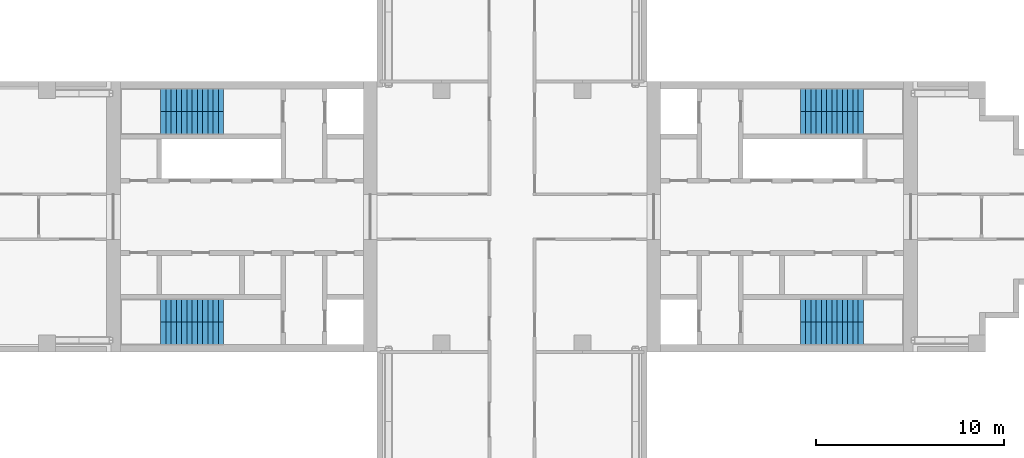
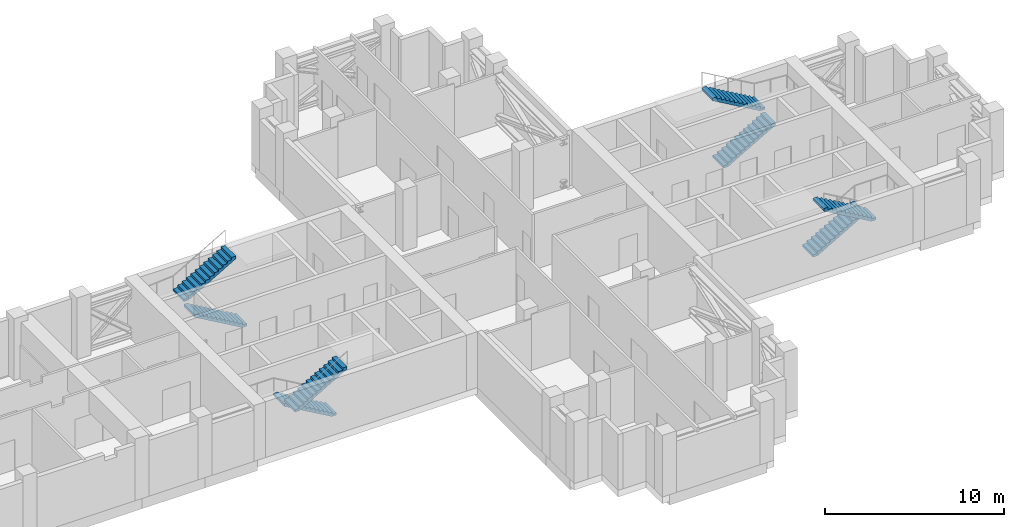
# One storey, part 7 of 8: 8 stair flights, 4 elements without a shape of their own.
"""IFC4 building model written with IfcOpenShell, lengths in metres."""

from ifc_helpers import new_model, si_unit, direction, frame, origin, place, context, subcontext, project, spatial, polyline, outline, extrude, material, type_object, element, aggregate, save


model = new_model("IFC4")

# Units and contexts
model_context = context("Model", 3, precision=1e-05, world=origin(), true_north=direction((0.0, 1.0)))
body_context = subcontext(model_context, "Body", "Model", "MODEL_VIEW")
ifc_project = project(units=[si_unit("LENGTHUNIT", "METRE"), si_unit("AREAUNIT", "SQUARE_METRE"), si_unit("VOLUMEUNIT", "CUBIC_METRE"), si_unit("PLANEANGLEUNIT", "RADIAN"), si_unit("MASSUNIT", "GRAM", prefix="KILO")], contexts=[model_context])

# Site, building, storey
site_placement = place(None, origin())
site = spatial("IfcSite", under=ifc_project, at=site_placement, CompositionType="ELEMENT")
building_placement = place(site_placement, origin())
building = spatial("IfcBuilding", under=site, at=building_placement, Name="Fustian Cross Tower", CompositionType="ELEMENT")
storey_placement = place(building_placement, frame((0.0, 0.0, 194.699951171875)))
storey = spatial("IfcBuildingStorey", under=building, at=storey_placement, Name="L61", CompositionType="ELEMENT", Elevation=194.699951171875)

# Stair, stair flights
ifc_material_1 = material(Name="Concrete C50/60", Category="concrete")
stair_type = type_object("IfcStairType", Name="STAIR 1200 HALF TURN", PredefinedType="HALF_TURN_STAIR", material=ifc_material_1)
stair_1_placement = place(storey_placement, origin())
stair_1 = element("IfcStair", 1, at=stair_1_placement, inside=storey, type_object=stair_type, Name="Stair ST1", PredefinedType="HALF_TURN_STAIR")
ifc_material_2 = material(Name="Concrete C50/60", Category="concrete")
stair_flight_type = type_object("IfcStairFlightType", Name="STAIR FLIGHT 1200", PredefinedType="STRAIGHT", material=ifc_material_2)
stair_flight_1_placement = place(storey_placement, frame((15.35009765625, 5.0, 0.0), z_axis=(0.0, 0.0, 1.0), x_axis=(1.0, 0.0, 0.0)))
stair_flight_1 = element("IfcStairFlight", 2, at=stair_flight_1_placement, type_object=stair_flight_type, Name="ST1 flight 1", NumberOfRisers=13, NumberOfTreads=12, PredefinedType="STRAIGHT", RiserHeight=0.161538462, TreadLength=0.28, context=body_context, shape_type="SweptSolid", body=[
    extrude(outline(polyline([(0.0, 0.0), (0.0, 0.16162109375), (0.280029296875, 0.16162109375), (0.280029296875, 0.322998046875), (0.56005859375, 0.322998046875), (0.56005859375, 0.484619140625), (0.840087890625, 0.484619140625), (0.840087890625, 0.646240234375), (1.1201171875, 0.646240234375), (1.1201171875, 0.8076171875), (1.39990234375, 0.8076171875), (1.39990234375, 0.96923828125), (1.679931640625, 0.96923828125), (1.679931640625, 1.130859375), (1.9599609375, 1.130859375), (1.9599609375, 1.292236328125), (2.239990234375, 1.292236328125), (2.239990234375, 1.453857421875), (2.52001953125, 1.453857421875), (2.52001953125, 1.615478515625), (2.800048828125, 1.615478515625), (2.800048828125, 1.77685546875), (3.080078125, 1.77685546875), (3.080078125, 1.9384765625), (3.360107421875, 1.9384765625), (3.360107421875, 2.10009765625), (3.360107421875, 1.765380859375), (0.300048828125, 0.0), (0.0, 0.0)])), frame((0.0, 0.60009765625, 0.0), z_axis=(0.0, -1.0, 0.0), x_axis=(1.0, 0.0, 0.0)), (0.0, 0.0, 1.0), 1.199951171875),
])
stair_flight_2_placement = place(storey_placement, frame((18.7099609375, 6.199951171875, 2.10009765625), z_axis=(0.0, 0.0, 1.0), x_axis=(-1.0, 0.0, 0.0)))
stair_flight_2 = element("IfcStairFlight", 3, at=stair_flight_2_placement, type_object=stair_flight_type, Name="ST1 flight 2", NumberOfRisers=13, NumberOfTreads=12, PredefinedType="STRAIGHT", RiserHeight=0.161538462, TreadLength=0.28, context=body_context, shape_type="SweptSolid", body=[
    extrude(outline(polyline([(0.0, 0.0), (0.0, 0.16162109375), (0.280029296875, 0.16162109375), (0.280029296875, 0.322998046875), (0.56005859375, 0.322998046875), (0.56005859375, 0.484619140625), (0.840087890625, 0.484619140625), (0.840087890625, 0.646240234375), (1.1201171875, 0.646240234375), (1.1201171875, 0.8076171875), (1.39990234375, 0.8076171875), (1.39990234375, 0.96923828125), (1.679931640625, 0.96923828125), (1.679931640625, 1.130859375), (1.9599609375, 1.130859375), (1.9599609375, 1.292236328125), (2.239990234375, 1.292236328125), (2.239990234375, 1.453857421875), (2.52001953125, 1.453857421875), (2.52001953125, 1.615478515625), (2.800048828125, 1.615478515625), (2.800048828125, 1.77685546875), (3.080078125, 1.77685546875), (3.080078125, 1.9384765625), (3.360107421875, 1.9384765625), (3.360107421875, 2.10009765625), (3.360107421875, 1.765380859375), (0.300048828125, 0.0), (0.0, 0.0)])), frame((0.0, 0.60009765625, 0.0), z_axis=(0.0, -1.0, 0.0), x_axis=(1.0, 0.0, 0.0)), (0.0, 0.0, 1.0), 1.199951171875),
])
aggregate(stair_1, [stair_flight_1, stair_flight_2])

stair_2_placement = place(storey_placement, origin())
stair_2 = element("IfcStair", 4, at=stair_2_placement, inside=storey, type_object=stair_type, Name="Stair ST2", PredefinedType="HALF_TURN_STAIR")
stair_flight_3_placement = place(storey_placement, frame((15.35009765625, -5.0, 0.0), z_axis=(0.0, 0.0, 1.0), x_axis=(1.0, 0.0, 0.0)))
stair_flight_3 = element("IfcStairFlight", 5, at=stair_flight_3_placement, type_object=stair_flight_type, Name="ST2 flight 1", NumberOfRisers=13, NumberOfTreads=12, PredefinedType="STRAIGHT", RiserHeight=0.161538462, TreadLength=0.28, context=body_context, shape_type="SweptSolid", body=[
    extrude(outline(polyline([(0.0, 0.0), (0.0, 0.16162109375), (0.280029296875, 0.16162109375), (0.280029296875, 0.322998046875), (0.56005859375, 0.322998046875), (0.56005859375, 0.484619140625), (0.840087890625, 0.484619140625), (0.840087890625, 0.646240234375), (1.1201171875, 0.646240234375), (1.1201171875, 0.8076171875), (1.39990234375, 0.8076171875), (1.39990234375, 0.96923828125), (1.679931640625, 0.96923828125), (1.679931640625, 1.130859375), (1.9599609375, 1.130859375), (1.9599609375, 1.292236328125), (2.239990234375, 1.292236328125), (2.239990234375, 1.453857421875), (2.52001953125, 1.453857421875), (2.52001953125, 1.615478515625), (2.800048828125, 1.615478515625), (2.800048828125, 1.77685546875), (3.080078125, 1.77685546875), (3.080078125, 1.9384765625), (3.360107421875, 1.9384765625), (3.360107421875, 2.10009765625), (3.360107421875, 1.765380859375), (0.300048828125, 0.0), (0.0, 0.0)])), frame((0.0, 0.60009765625, 0.0), z_axis=(0.0, -1.0, 0.0), x_axis=(1.0, 0.0, 0.0)), (0.0, 0.0, 1.0), 1.199951171875),
])
stair_flight_4_placement = place(storey_placement, frame((18.7099609375, -6.199951171875, 2.10009765625), z_axis=(0.0, 0.0, 1.0), x_axis=(-1.0, 0.0, 0.0)))
stair_flight_4 = element("IfcStairFlight", 6, at=stair_flight_4_placement, type_object=stair_flight_type, Name="ST2 flight 2", NumberOfRisers=13, NumberOfTreads=12, PredefinedType="STRAIGHT", RiserHeight=0.161538462, TreadLength=0.28, context=body_context, shape_type="SweptSolid", body=[
    extrude(outline(polyline([(0.0, 0.0), (0.0, 0.16162109375), (0.280029296875, 0.16162109375), (0.280029296875, 0.322998046875), (0.56005859375, 0.322998046875), (0.56005859375, 0.484619140625), (0.840087890625, 0.484619140625), (0.840087890625, 0.646240234375), (1.1201171875, 0.646240234375), (1.1201171875, 0.8076171875), (1.39990234375, 0.8076171875), (1.39990234375, 0.96923828125), (1.679931640625, 0.96923828125), (1.679931640625, 1.130859375), (1.9599609375, 1.130859375), (1.9599609375, 1.292236328125), (2.239990234375, 1.292236328125), (2.239990234375, 1.453857421875), (2.52001953125, 1.453857421875), (2.52001953125, 1.615478515625), (2.800048828125, 1.615478515625), (2.800048828125, 1.77685546875), (3.080078125, 1.77685546875), (3.080078125, 1.9384765625), (3.360107421875, 1.9384765625), (3.360107421875, 2.10009765625), (3.360107421875, 1.765380859375), (0.300048828125, 0.0), (0.0, 0.0)])), frame((0.0, 0.60009765625, 0.0), z_axis=(0.0, -1.0, 0.0), x_axis=(1.0, 0.0, 0.0)), (0.0, 0.0, 1.0), 1.199951171875),
])
aggregate(stair_2, [stair_flight_3, stair_flight_4])

stair_3_placement = place(storey_placement, origin())
stair_3 = element("IfcStair", 7, at=stair_3_placement, inside=storey, type_object=stair_type, Name="Stair ST3", PredefinedType="HALF_TURN_STAIR")
stair_flight_5_placement = place(storey_placement, frame((-15.35009765625, 5.0, 0.0), z_axis=(0.0, 0.0, 1.0), x_axis=(-1.0, 0.0, 0.0)))
stair_flight_5 = element("IfcStairFlight", 8, at=stair_flight_5_placement, type_object=stair_flight_type, Name="ST3 flight 1", NumberOfRisers=13, NumberOfTreads=12, PredefinedType="STRAIGHT", RiserHeight=0.161538462, TreadLength=0.28, context=body_context, shape_type="SweptSolid", body=[
    extrude(outline(polyline([(0.0, 0.0), (0.0, 0.16162109375), (0.280029296875, 0.16162109375), (0.280029296875, 0.322998046875), (0.56005859375, 0.322998046875), (0.56005859375, 0.484619140625), (0.840087890625, 0.484619140625), (0.840087890625, 0.646240234375), (1.1201171875, 0.646240234375), (1.1201171875, 0.8076171875), (1.39990234375, 0.8076171875), (1.39990234375, 0.96923828125), (1.679931640625, 0.96923828125), (1.679931640625, 1.130859375), (1.9599609375, 1.130859375), (1.9599609375, 1.292236328125), (2.239990234375, 1.292236328125), (2.239990234375, 1.453857421875), (2.52001953125, 1.453857421875), (2.52001953125, 1.615478515625), (2.800048828125, 1.615478515625), (2.800048828125, 1.77685546875), (3.080078125, 1.77685546875), (3.080078125, 1.9384765625), (3.360107421875, 1.9384765625), (3.360107421875, 2.10009765625), (3.360107421875, 1.765380859375), (0.300048828125, 0.0), (0.0, 0.0)])), frame((0.0, 0.60009765625, 0.0), z_axis=(0.0, -1.0, 0.0), x_axis=(1.0, 0.0, 0.0)), (0.0, 0.0, 1.0), 1.199951171875),
])
stair_flight_6_placement = place(storey_placement, frame((-18.7099609375, 6.199951171875, 2.10009765625), z_axis=(0.0, 0.0, 1.0), x_axis=(1.0, 0.0, 0.0)))
stair_flight_6 = element("IfcStairFlight", 9, at=stair_flight_6_placement, type_object=stair_flight_type, Name="ST3 flight 2", NumberOfRisers=13, NumberOfTreads=12, PredefinedType="STRAIGHT", RiserHeight=0.161538462, TreadLength=0.28, context=body_context, shape_type="SweptSolid", body=[
    extrude(outline(polyline([(0.0, 0.0), (0.0, 0.16162109375), (0.280029296875, 0.16162109375), (0.280029296875, 0.322998046875), (0.56005859375, 0.322998046875), (0.56005859375, 0.484619140625), (0.840087890625, 0.484619140625), (0.840087890625, 0.646240234375), (1.1201171875, 0.646240234375), (1.1201171875, 0.8076171875), (1.39990234375, 0.8076171875), (1.39990234375, 0.96923828125), (1.679931640625, 0.96923828125), (1.679931640625, 1.130859375), (1.9599609375, 1.130859375), (1.9599609375, 1.292236328125), (2.239990234375, 1.292236328125), (2.239990234375, 1.453857421875), (2.52001953125, 1.453857421875), (2.52001953125, 1.615478515625), (2.800048828125, 1.615478515625), (2.800048828125, 1.77685546875), (3.080078125, 1.77685546875), (3.080078125, 1.9384765625), (3.360107421875, 1.9384765625), (3.360107421875, 2.10009765625), (3.360107421875, 1.765380859375), (0.300048828125, 0.0), (0.0, 0.0)])), frame((0.0, 0.60009765625, 0.0), z_axis=(0.0, -1.0, 0.0), x_axis=(1.0, 0.0, 0.0)), (0.0, 0.0, 1.0), 1.199951171875),
])
aggregate(stair_3, [stair_flight_5, stair_flight_6])

stair_4_placement = place(storey_placement, origin())
stair_4 = element("IfcStair", 10, at=stair_4_placement, inside=storey, type_object=stair_type, Name="Stair ST4", PredefinedType="HALF_TURN_STAIR")
stair_flight_7_placement = place(storey_placement, frame((-15.35009765625, -5.0, 0.0), z_axis=(0.0, 0.0, 1.0), x_axis=(-1.0, 0.0, 0.0)))
stair_flight_7 = element("IfcStairFlight", 11, at=stair_flight_7_placement, type_object=stair_flight_type, Name="ST4 flight 1", NumberOfRisers=13, NumberOfTreads=12, PredefinedType="STRAIGHT", RiserHeight=0.161538462, TreadLength=0.28, context=body_context, shape_type="SweptSolid", body=[
    extrude(outline(polyline([(0.0, 0.0), (0.0, 0.16162109375), (0.280029296875, 0.16162109375), (0.280029296875, 0.322998046875), (0.56005859375, 0.322998046875), (0.56005859375, 0.484619140625), (0.840087890625, 0.484619140625), (0.840087890625, 0.646240234375), (1.1201171875, 0.646240234375), (1.1201171875, 0.8076171875), (1.39990234375, 0.8076171875), (1.39990234375, 0.96923828125), (1.679931640625, 0.96923828125), (1.679931640625, 1.130859375), (1.9599609375, 1.130859375), (1.9599609375, 1.292236328125), (2.239990234375, 1.292236328125), (2.239990234375, 1.453857421875), (2.52001953125, 1.453857421875), (2.52001953125, 1.615478515625), (2.800048828125, 1.615478515625), (2.800048828125, 1.77685546875), (3.080078125, 1.77685546875), (3.080078125, 1.9384765625), (3.360107421875, 1.9384765625), (3.360107421875, 2.10009765625), (3.360107421875, 1.765380859375), (0.300048828125, 0.0), (0.0, 0.0)])), frame((0.0, 0.60009765625, 0.0), z_axis=(0.0, -1.0, 0.0), x_axis=(1.0, 0.0, 0.0)), (0.0, 0.0, 1.0), 1.199951171875),
])
stair_flight_8_placement = place(storey_placement, frame((-18.7099609375, -6.199951171875, 2.10009765625), z_axis=(0.0, 0.0, 1.0), x_axis=(1.0, 0.0, 0.0)))
stair_flight_8 = element("IfcStairFlight", 12, at=stair_flight_8_placement, type_object=stair_flight_type, Name="ST4 flight 2", NumberOfRisers=13, NumberOfTreads=12, PredefinedType="STRAIGHT", RiserHeight=0.161538462, TreadLength=0.28, context=body_context, shape_type="SweptSolid", body=[
    extrude(outline(polyline([(0.0, 0.0), (0.0, 0.16162109375), (0.280029296875, 0.16162109375), (0.280029296875, 0.322998046875), (0.56005859375, 0.322998046875), (0.56005859375, 0.484619140625), (0.840087890625, 0.484619140625), (0.840087890625, 0.646240234375), (1.1201171875, 0.646240234375), (1.1201171875, 0.8076171875), (1.39990234375, 0.8076171875), (1.39990234375, 0.96923828125), (1.679931640625, 0.96923828125), (1.679931640625, 1.130859375), (1.9599609375, 1.130859375), (1.9599609375, 1.292236328125), (2.239990234375, 1.292236328125), (2.239990234375, 1.453857421875), (2.52001953125, 1.453857421875), (2.52001953125, 1.615478515625), (2.800048828125, 1.615478515625), (2.800048828125, 1.77685546875), (3.080078125, 1.77685546875), (3.080078125, 1.9384765625), (3.360107421875, 1.9384765625), (3.360107421875, 2.10009765625), (3.360107421875, 1.765380859375), (0.300048828125, 0.0), (0.0, 0.0)])), frame((0.0, 0.60009765625, 0.0), z_axis=(0.0, -1.0, 0.0), x_axis=(1.0, 0.0, 0.0)), (0.0, 0.0, 1.0), 1.199951171875),
])
aggregate(stair_4, [stair_flight_7, stair_flight_8])

save(model, "model.ifc")
